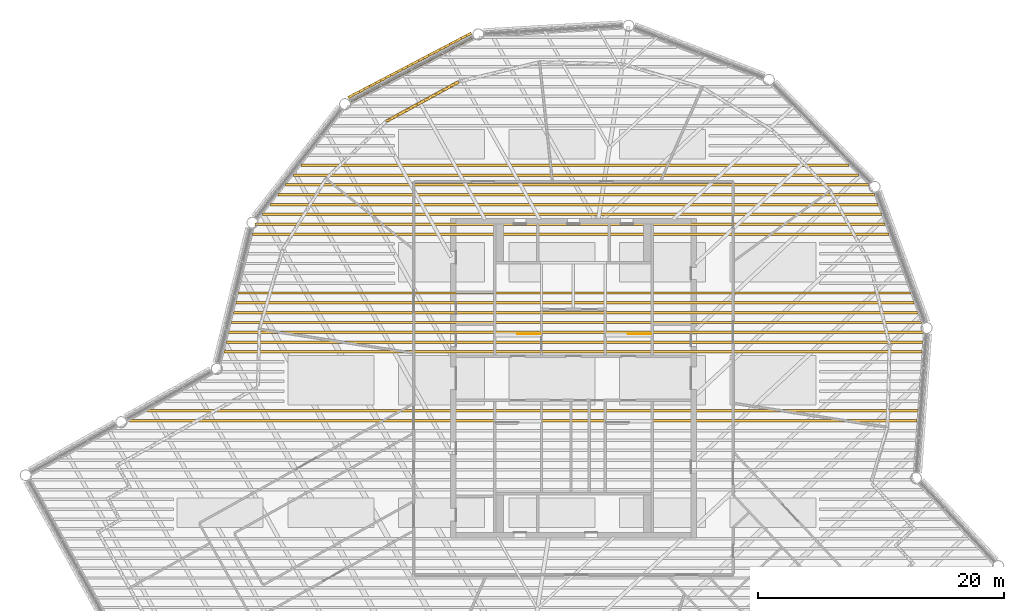
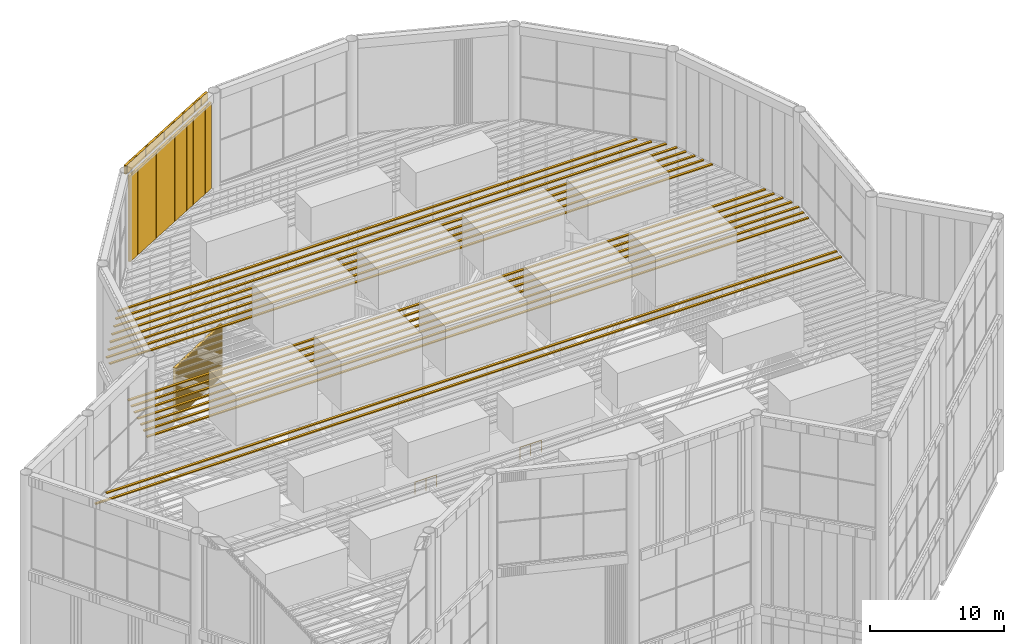
# One storey, part 104 of 117: 18 shading devices, 2 coverings, 2 railings.
"""IFC4 building model written with IfcOpenShell, lengths in metres."""

from ifc_helpers import new_model, si_unit, direction, frame, frame_2d, origin, origin_2d, place, context, subcontext, project, spatial, rectangle, circle, composite_profile, extrude, material, type_object, element, save


model = new_model("IFC4")

# Units and contexts
model_context = context("Model", 3, precision=1e-05, world=origin(), true_north=direction((0.0, 1.0)))
body_context = subcontext(model_context, "Body", "Model", "MODEL_VIEW")
ifc_project = project(units=[si_unit("LENGTHUNIT", "METRE"), si_unit("AREAUNIT", "SQUARE_METRE"), si_unit("VOLUMEUNIT", "CUBIC_METRE"), si_unit("PLANEANGLEUNIT", "RADIAN"), si_unit("MASSUNIT", "GRAM", prefix="KILO")], contexts=[model_context])

# Site, building, storey
site_placement = place(None, origin())
site = spatial("IfcSite", under=ifc_project, at=site_placement, CompositionType="ELEMENT")
building_placement = place(site_placement, origin())
building = spatial("IfcBuilding", under=site, at=building_placement, Name="Tarsis Ring Headquarters", CompositionType="ELEMENT")
storey_placement = place(building_placement, frame((0.0, 0.0, 403.60009765625)))
storey = spatial("IfcBuildingStorey", under=building, at=storey_placement, Name="L95", CompositionType="ELEMENT", Elevation=403.60009765625)

# Railings
ifc_material_1 = material(Name="Steel S355", Category="steel")
railing_type = type_object("IfcRailingType", Name="Core stair guard 1100", PredefinedType="GUARDRAIL", material=ifc_material_1)
for number, where, name in (
    (1, (-2.699951171875, 3.610107421875, 0.0), "L95 ST1 top well guard 1"),
    (2, (6.300048828125, 3.610107421875, 0.0), "L95 ST2 top well guard 1"),
):
    element("IfcRailing", number, at=place(storey_placement, frame(where)), inside=storey, type_object=railing_type, Name=name, PredefinedType="GUARDRAIL", context=body_context, shape_type="SweptSolid", body=[
        extrude(circle(Radius=0.02392578125, at=origin_2d()), frame((0.0, 0.0, 1.076171875), z_axis=(-1.0, 0.0, 0.0), x_axis=(0.0, -1.0, 0.0)), (0.0, 0.0, 1.0), 1.840087890625),
        extrude(circle(Radius=0.02099609375, at=origin_2d()), origin(), (0.0, 0.0, 1.0), 1.052001953125),
        extrude(circle(Radius=0.02099609375, at=origin_2d()), frame((-0.919921875, 0.0, 0.0)), (0.0, 0.0, 1.0), 1.052001953125),
        extrude(circle(Radius=0.02099609375, at=origin_2d()), frame((-1.840087890625, 0.0, 0.0)), (0.0, 0.0, 1.0), 1.052001953125),
    ])

# Coverings
ifc_material_2 = material(Name="Terracotta louvre", Category="masonry")
covering_type = type_object("IfcCoveringType", Name="Crown louvre fin", PredefinedType="CLADDING", material=ifc_material_2)
covering_1_placement = place(storey_placement, frame((-8.311767578125, 28.09521484375, 22.199951171875), z_axis=(0.0, 0.0, 1.0), x_axis=(-0.885930903765, -0.463814939261, 0.0)))
element("IfcCovering", 3, at=covering_1_placement, inside=storey, type_object=covering_type, Name="Crown louvre fascia T11", PredefinedType="CLADDING", context=body_context, shape_type="SweptSolid", body=[
    extrude(composite_profile([rectangle(XDim=0.14501953125, YDim=0.199951171875, at=frame_2d((0.072509765625, 0.0))), rectangle(XDim=0.14501953125, YDim=0.199951171875, at=frame_2d((0.2236328125, 0.0))), rectangle(XDim=0.14501953125, YDim=0.199951171875, at=frame_2d((0.375, 0.0))), rectangle(XDim=0.14501953125, YDim=0.199951171875, at=frame_2d((0.526123046875, 0.0))), rectangle(XDim=0.14501953125, YDim=0.199951171875, at=frame_2d((0.677490234375, 0.0))), rectangle(XDim=0.14501953125, YDim=0.199951171875, at=frame_2d((0.82861328125, 0.0))), rectangle(XDim=0.14501953125, YDim=0.199951171875, at=frame_2d((0.979736328125, 0.0))), rectangle(XDim=0.14501953125, YDim=0.199951171875, at=frame_2d((1.131103515625, 0.0))), rectangle(XDim=0.14501953125, YDim=0.199951171875, at=frame_2d((1.2822265625, 0.0))), rectangle(XDim=0.14501953125, YDim=0.199951171875, at=frame_2d((1.433349609375, 0.0))), rectangle(XDim=0.14501953125, YDim=0.199951171875, at=frame_2d((1.584716796875, 0.0))), rectangle(XDim=0.14501953125, YDim=0.199951171875, at=frame_2d((1.73583984375, 0.0))), rectangle(XDim=0.14501953125, YDim=0.199951171875, at=frame_2d((1.88720703125, 0.0))), rectangle(XDim=0.14501953125, YDim=0.199951171875, at=frame_2d((2.038330078125, 0.0))), rectangle(XDim=0.14501953125, YDim=0.199951171875, at=frame_2d((2.189453125, 0.0))), rectangle(XDim=0.14501953125, YDim=0.199951171875, at=frame_2d((2.3408203125, 0.0))), rectangle(XDim=0.14501953125, YDim=0.199951171875, at=frame_2d((2.491943359375, 0.0))), rectangle(XDim=0.14501953125, YDim=0.199951171875, at=frame_2d((2.64306640625, 0.0))), rectangle(XDim=0.14501953125, YDim=0.199951171875, at=frame_2d((2.79443359375, 0.0))), rectangle(XDim=0.14501953125, YDim=0.199951171875, at=frame_2d((2.945556640625, 0.0))), rectangle(XDim=0.14501953125, YDim=0.199951171875, at=frame_2d((3.096923828125, 0.0))), rectangle(XDim=0.14501953125, YDim=0.199951171875, at=frame_2d((3.248046875, 0.0))), rectangle(XDim=0.14501953125, YDim=0.199951171875, at=frame_2d((3.399169921875, 0.0))), rectangle(XDim=0.14501953125, YDim=0.199951171875, at=frame_2d((3.550537109375, 0.0))), rectangle(XDim=0.14501953125, YDim=0.199951171875, at=frame_2d((3.70166015625, 0.0))), rectangle(XDim=0.14501953125, YDim=0.199951171875, at=frame_2d((3.852783203125, 0.0))), rectangle(XDim=0.14501953125, YDim=0.199951171875, at=frame_2d((4.004150390625, 0.0))), rectangle(XDim=0.14501953125, YDim=0.199951171875, at=frame_2d((4.1552734375, 0.0))), rectangle(XDim=0.14501953125, YDim=0.199951171875, at=frame_2d((4.306640625, 0.0))), rectangle(XDim=0.14501953125, YDim=0.199951171875, at=frame_2d((4.457763671875, 0.0))), rectangle(XDim=0.14501953125, YDim=0.199951171875, at=frame_2d((4.60888671875, 0.0))), rectangle(XDim=0.14501953125, YDim=0.199951171875, at=frame_2d((4.76025390625, 0.0))), rectangle(XDim=0.14501953125, YDim=0.199951171875, at=frame_2d((4.911376953125, 0.0))), rectangle(XDim=0.14501953125, YDim=0.199951171875, at=frame_2d((5.0625, 0.0))), rectangle(XDim=0.14501953125, YDim=0.199951171875, at=frame_2d((5.2138671875, 0.0))), rectangle(XDim=0.14501953125, YDim=0.199951171875, at=frame_2d((5.364990234375, 0.0))), rectangle(XDim=0.14501953125, YDim=0.199951171875, at=frame_2d((5.516357421875, 0.0))), rectangle(XDim=0.14501953125, YDim=0.199951171875, at=frame_2d((5.66748046875, 0.0))), rectangle(XDim=0.14501953125, YDim=0.199951171875, at=frame_2d((5.818603515625, 0.0))), rectangle(XDim=0.14501953125, YDim=0.199951171875, at=frame_2d((5.969970703125, 0.0))), rectangle(XDim=0.14501953125, YDim=0.199951171875, at=frame_2d((6.12109375, 0.0))), rectangle(XDim=0.14501953125, YDim=0.199951171875, at=frame_2d((6.2724609375, 0.0))), rectangle(XDim=0.14501953125, YDim=0.199951171875, at=frame_2d((6.423583984375, 0.0))), rectangle(XDim=0.14501953125, YDim=0.199951171875, at=frame_2d((6.57470703125, 0.0))), rectangle(XDim=0.14501953125, YDim=0.199951171875, at=frame_2d((6.72607421875, 0.0))), rectangle(XDim=0.14501953125, YDim=0.199951171875, at=frame_2d((6.877197265625, 0.0))), rectangle(XDim=0.14501953125, YDim=0.199951171875, at=frame_2d((7.0283203125, 0.0))), rectangle(XDim=0.14501953125, YDim=0.199951171875, at=frame_2d((7.1796875, 0.0))), rectangle(XDim=0.14501953125, YDim=0.199951171875, at=frame_2d((7.330810546875, 0.0))), rectangle(XDim=0.14501953125, YDim=0.199951171875, at=frame_2d((7.482177734375, 0.0))), rectangle(XDim=0.14501953125, YDim=0.199951171875, at=frame_2d((7.63330078125, 0.0))), rectangle(XDim=0.14501953125, YDim=0.199951171875, at=frame_2d((7.784423828125, 0.0))), rectangle(XDim=0.14501953125, YDim=0.199951171875, at=frame_2d((7.935791015625, 0.0))), rectangle(XDim=0.14501953125, YDim=0.199951171875, at=frame_2d((8.0869140625, 0.0))), rectangle(XDim=0.14501953125, YDim=0.199951171875, at=frame_2d((8.238037109375, 0.0))), rectangle(XDim=0.14501953125, YDim=0.199951171875, at=frame_2d((8.389404296875, 0.0))), rectangle(XDim=0.14501953125, YDim=0.199951171875, at=frame_2d((8.54052734375, 0.0))), rectangle(XDim=0.14501953125, YDim=0.199951171875, at=frame_2d((8.69189453125, 0.0))), rectangle(XDim=0.14501953125, YDim=0.199951171875, at=frame_2d((8.843017578125, 0.0))), rectangle(XDim=0.14501953125, YDim=0.199951171875, at=frame_2d((8.994140625, 0.0))), rectangle(XDim=0.14501953125, YDim=0.199951171875, at=frame_2d((9.1455078125, 0.0))), rectangle(XDim=0.14501953125, YDim=0.199951171875, at=frame_2d((9.296630859375, 0.0))), rectangle(XDim=0.14501953125, YDim=0.199951171875, at=frame_2d((9.44775390625, 0.0))), rectangle(XDim=0.14501953125, YDim=0.199951171875, at=frame_2d((9.59912109375, 0.0))), rectangle(XDim=0.14501953125, YDim=0.199951171875, at=frame_2d((9.750244140625, 0.0))), rectangle(XDim=0.14501953125, YDim=0.199951171875, at=frame_2d((9.901611328125, 0.0))), rectangle(XDim=0.14501953125, YDim=0.199951171875, at=frame_2d((10.052734375, 0.0))), rectangle(XDim=0.14501953125, YDim=0.199951171875, at=frame_2d((10.203857421875, 0.0))), rectangle(XDim=0.14501953125, YDim=0.199951171875, at=frame_2d((10.355224609375, 0.0))), rectangle(XDim=0.14501953125, YDim=0.199951171875, at=frame_2d((10.50634765625, 0.0))), rectangle(XDim=0.14501953125, YDim=0.199951171875, at=frame_2d((10.657470703125, 0.0))), rectangle(XDim=0.14501953125, YDim=0.199951171875, at=frame_2d((10.808837890625, 0.0))), rectangle(XDim=0.14501953125, YDim=0.199951171875, at=frame_2d((10.9599609375, 0.0))), rectangle(XDim=0.14501953125, YDim=0.199951171875, at=frame_2d((11.111328125, 0.0))), rectangle(XDim=0.14501953125, YDim=0.199951171875, at=frame_2d((11.262451171875, 0.0)))]), origin(), (0.0, 0.0, 1.0), 0.800048828125),
])
covering_2_placement = place(storey_placement, frame((-8.1494140625, 27.78515625, 14.39990234375), z_axis=(0.0, 0.0, 1.0), x_axis=(-0.885930903765, -0.463814939261, 0.0)))
element("IfcCovering", 4, at=covering_2_placement, inside=storey, type_object=covering_type, Name="Crown louvre U11", PredefinedType="CLADDING", context=body_context, shape_type="SweptSolid", body=[
    extrude(composite_profile([rectangle(XDim=0.14501953125, YDim=0.199951171875, at=frame_2d((0.072509765625, 0.0))), rectangle(XDim=0.14501953125, YDim=0.199951171875, at=frame_2d((0.2236328125, 0.0))), rectangle(XDim=0.14501953125, YDim=0.199951171875, at=frame_2d((0.375, 0.0))), rectangle(XDim=0.14501953125, YDim=0.199951171875, at=frame_2d((0.526123046875, 0.0))), rectangle(XDim=0.14501953125, YDim=0.199951171875, at=frame_2d((0.677490234375, 0.0))), rectangle(XDim=0.14501953125, YDim=0.199951171875, at=frame_2d((0.82861328125, 0.0))), rectangle(XDim=0.14501953125, YDim=0.199951171875, at=frame_2d((0.979736328125, 0.0))), rectangle(XDim=0.14501953125, YDim=0.199951171875, at=frame_2d((1.131103515625, 0.0))), rectangle(XDim=0.14501953125, YDim=0.199951171875, at=frame_2d((1.2822265625, 0.0))), rectangle(XDim=0.14501953125, YDim=0.199951171875, at=frame_2d((1.433349609375, 0.0))), rectangle(XDim=0.14501953125, YDim=0.199951171875, at=frame_2d((1.584716796875, 0.0))), rectangle(XDim=0.14501953125, YDim=0.199951171875, at=frame_2d((1.73583984375, 0.0))), rectangle(XDim=0.14501953125, YDim=0.199951171875, at=frame_2d((1.88720703125, 0.0))), rectangle(XDim=0.14501953125, YDim=0.199951171875, at=frame_2d((2.038330078125, 0.0))), rectangle(XDim=0.14501953125, YDim=0.199951171875, at=frame_2d((2.189453125, 0.0))), rectangle(XDim=0.14501953125, YDim=0.199951171875, at=frame_2d((2.3408203125, 0.0))), rectangle(XDim=0.14501953125, YDim=0.199951171875, at=frame_2d((2.491943359375, 0.0))), rectangle(XDim=0.14501953125, YDim=0.199951171875, at=frame_2d((2.64306640625, 0.0))), rectangle(XDim=0.14501953125, YDim=0.199951171875, at=frame_2d((2.79443359375, 0.0))), rectangle(XDim=0.14501953125, YDim=0.199951171875, at=frame_2d((2.945556640625, 0.0))), rectangle(XDim=0.14501953125, YDim=0.199951171875, at=frame_2d((3.096923828125, 0.0))), rectangle(XDim=0.14501953125, YDim=0.199951171875, at=frame_2d((3.248046875, 0.0))), rectangle(XDim=0.14501953125, YDim=0.199951171875, at=frame_2d((3.399169921875, 0.0))), rectangle(XDim=0.14501953125, YDim=0.199951171875, at=frame_2d((3.550537109375, 0.0))), rectangle(XDim=0.14501953125, YDim=0.199951171875, at=frame_2d((3.70166015625, 0.0))), rectangle(XDim=0.14501953125, YDim=0.199951171875, at=frame_2d((3.852783203125, 0.0))), rectangle(XDim=0.14501953125, YDim=0.199951171875, at=frame_2d((4.004150390625, 0.0))), rectangle(XDim=0.14501953125, YDim=0.199951171875, at=frame_2d((4.1552734375, 0.0))), rectangle(XDim=0.14501953125, YDim=0.199951171875, at=frame_2d((4.306640625, 0.0))), rectangle(XDim=0.14501953125, YDim=0.199951171875, at=frame_2d((4.457763671875, 0.0))), rectangle(XDim=0.14501953125, YDim=0.199951171875, at=frame_2d((4.60888671875, 0.0))), rectangle(XDim=0.14501953125, YDim=0.199951171875, at=frame_2d((4.76025390625, 0.0))), rectangle(XDim=0.14501953125, YDim=0.199951171875, at=frame_2d((4.911376953125, 0.0))), rectangle(XDim=0.14501953125, YDim=0.199951171875, at=frame_2d((5.0625, 0.0))), rectangle(XDim=0.14501953125, YDim=0.199951171875, at=frame_2d((5.2138671875, 0.0))), rectangle(XDim=0.14501953125, YDim=0.199951171875, at=frame_2d((5.364990234375, 0.0))), rectangle(XDim=0.14501953125, YDim=0.199951171875, at=frame_2d((5.516357421875, 0.0))), rectangle(XDim=0.14501953125, YDim=0.199951171875, at=frame_2d((5.66748046875, 0.0))), rectangle(XDim=0.14501953125, YDim=0.199951171875, at=frame_2d((5.818603515625, 0.0))), rectangle(XDim=0.14501953125, YDim=0.199951171875, at=frame_2d((5.969970703125, 0.0))), rectangle(XDim=0.14501953125, YDim=0.199951171875, at=frame_2d((6.12109375, 0.0))), rectangle(XDim=0.14501953125, YDim=0.199951171875, at=frame_2d((6.2724609375, 0.0))), rectangle(XDim=0.14501953125, YDim=0.199951171875, at=frame_2d((6.423583984375, 0.0))), rectangle(XDim=0.14501953125, YDim=0.199951171875, at=frame_2d((6.57470703125, 0.0))), rectangle(XDim=0.14501953125, YDim=0.199951171875, at=frame_2d((6.72607421875, 0.0))), rectangle(XDim=0.14501953125, YDim=0.199951171875, at=frame_2d((6.877197265625, 0.0))), rectangle(XDim=0.14501953125, YDim=0.199951171875, at=frame_2d((7.0283203125, 0.0))), rectangle(XDim=0.14501953125, YDim=0.199951171875, at=frame_2d((7.1796875, 0.0))), rectangle(XDim=0.14501953125, YDim=0.199951171875, at=frame_2d((7.330810546875, 0.0))), rectangle(XDim=0.14501953125, YDim=0.199951171875, at=frame_2d((7.482177734375, 0.0))), rectangle(XDim=0.14501953125, YDim=0.199951171875, at=frame_2d((7.63330078125, 0.0))), rectangle(XDim=0.14501953125, YDim=0.199951171875, at=frame_2d((7.784423828125, 0.0))), rectangle(XDim=0.14501953125, YDim=0.199951171875, at=frame_2d((7.935791015625, 0.0))), rectangle(XDim=0.14501953125, YDim=0.199951171875, at=frame_2d((8.0869140625, 0.0))), rectangle(XDim=0.14501953125, YDim=0.199951171875, at=frame_2d((8.238037109375, 0.0))), rectangle(XDim=0.14501953125, YDim=0.199951171875, at=frame_2d((8.389404296875, 0.0))), rectangle(XDim=0.14501953125, YDim=0.199951171875, at=frame_2d((8.54052734375, 0.0))), rectangle(XDim=0.14501953125, YDim=0.199951171875, at=frame_2d((8.69189453125, 0.0))), rectangle(XDim=0.14501953125, YDim=0.199951171875, at=frame_2d((8.843017578125, 0.0))), rectangle(XDim=0.14501953125, YDim=0.199951171875, at=frame_2d((8.994140625, 0.0))), rectangle(XDim=0.14501953125, YDim=0.199951171875, at=frame_2d((9.1455078125, 0.0))), rectangle(XDim=0.14501953125, YDim=0.199951171875, at=frame_2d((9.296630859375, 0.0))), rectangle(XDim=0.14501953125, YDim=0.199951171875, at=frame_2d((9.44775390625, 0.0))), rectangle(XDim=0.14501953125, YDim=0.199951171875, at=frame_2d((9.59912109375, 0.0))), rectangle(XDim=0.14501953125, YDim=0.199951171875, at=frame_2d((9.750244140625, 0.0))), rectangle(XDim=0.14501953125, YDim=0.199951171875, at=frame_2d((9.901611328125, 0.0))), rectangle(XDim=0.14501953125, YDim=0.199951171875, at=frame_2d((10.052734375, 0.0))), rectangle(XDim=0.14501953125, YDim=0.199951171875, at=frame_2d((10.203857421875, 0.0))), rectangle(XDim=0.14501953125, YDim=0.199951171875, at=frame_2d((10.355224609375, 0.0))), rectangle(XDim=0.14501953125, YDim=0.199951171875, at=frame_2d((10.50634765625, 0.0))), rectangle(XDim=0.14501953125, YDim=0.199951171875, at=frame_2d((10.657470703125, 0.0))), rectangle(XDim=0.14501953125, YDim=0.199951171875, at=frame_2d((10.808837890625, 0.0))), rectangle(XDim=0.14501953125, YDim=0.199951171875, at=frame_2d((10.9599609375, 0.0))), rectangle(XDim=0.14501953125, YDim=0.199951171875, at=frame_2d((11.111328125, 0.0))), rectangle(XDim=0.14501953125, YDim=0.199951171875, at=frame_2d((11.262451171875, 0.0)))]), origin(), (0.0, 0.0, 1.0), 7.800048828125),
])

# Shading devices
ifc_material_3 = material(Name="Aluminium louvre", Category="aluminium")
shading_device_type_1 = type_object("IfcShadingDeviceType", Name="Crown roof louvre blade", PredefinedType="USERDEFINED", material=ifc_material_3)
shading_device_1_placement = place(storey_placement, frame((-4.073974609375, -3.464111328125, 14.39990234375), z_axis=(0.0, 0.0, 1.0), x_axis=(1.0, 0.0, 0.0)))
element("IfcShadingDevice", 5, at=shading_device_1_placement, inside=storey, type_object=shading_device_type_1, Name="Crown roof louvre 62", ObjectType="Crown roof louvre", PredefinedType="USERDEFINED", context=body_context, shape_type="SweptSolid", body=[
    extrude(rectangle(XDim=64.087646484375, YDim=0.199951171875, at=origin_2d()), origin(), (0.0, 0.0, 1.0), 0.10009765625),
])
shading_device_2_placement = place(storey_placement, frame((-3.3271484375, -2.664306640625, 14.39990234375), z_axis=(0.0, 0.0, 1.0), x_axis=(1.0, 0.0, 0.0)))
element("IfcShadingDevice", 6, at=shading_device_2_placement, inside=storey, type_object=shading_device_type_1, Name="Crown roof louvre 63", ObjectType="Crown roof louvre", PredefinedType="USERDEFINED", context=body_context, shape_type="SweptSolid", body=[
    extrude(rectangle(XDim=62.708740234375, YDim=0.199951171875, at=origin_2d()), origin(), (0.0, 0.0, 1.0), 0.10009765625),
])
shading_device_3_placement = place(storey_placement, frame((-0.0390625, 2.1357421875, 14.39990234375), z_axis=(0.0, 0.0, 1.0), x_axis=(1.0, 0.0, 0.0)))
element("IfcShadingDevice", 7, at=shading_device_3_placement, inside=storey, type_object=shading_device_type_1, Name="Crown roof louvre 74", ObjectType="Crown roof louvre", PredefinedType="USERDEFINED", context=body_context, shape_type="SweptSolid", body=[
    extrude(rectangle(XDim=56.81689453125, YDim=0.199951171875, at=origin_2d()), origin(), (0.0, 0.0, 1.0), 0.10009765625),
])
shading_device_4_placement = place(storey_placement, frame((0.086669921875, 2.935791015625, 14.39990234375), z_axis=(0.0, 0.0, 1.0), x_axis=(1.0, 0.0, 0.0)))
element("IfcShadingDevice", 8, at=shading_device_4_placement, inside=storey, type_object=shading_device_type_1, Name="Crown roof louvre 75", ObjectType="Crown roof louvre", PredefinedType="USERDEFINED", context=body_context, shape_type="SweptSolid", body=[
    extrude(rectangle(XDim=56.67919921875, YDim=0.199951171875, at=origin_2d()), origin(), (0.0, 0.0, 1.0), 0.10009765625),
])
shading_device_5_placement = place(storey_placement, frame((0.212646484375, 3.73583984375, 14.39990234375), z_axis=(0.0, 0.0, 1.0), x_axis=(1.0, 0.0, 0.0)))
element("IfcShadingDevice", 9, at=shading_device_5_placement, inside=storey, type_object=shading_device_type_1, Name="Crown roof louvre 76", ObjectType="Crown roof louvre", PredefinedType="USERDEFINED", context=body_context, shape_type="SweptSolid", body=[
    extrude(rectangle(XDim=56.54150390625, YDim=0.199951171875, at=origin_2d()), origin(), (0.0, 0.0, 1.0), 0.10009765625),
])
shading_device_6_placement = place(storey_placement, frame((0.232177734375, 4.535888671875, 14.39990234375), z_axis=(0.0, 0.0, 1.0), x_axis=(1.0, 0.0, 0.0)))
element("IfcShadingDevice", 10, at=shading_device_6_placement, inside=storey, type_object=shading_device_type_1, Name="Crown roof louvre 77", ObjectType="Crown roof louvre", PredefinedType="USERDEFINED", context=body_context, shape_type="SweptSolid", body=[
    extrude(rectangle(XDim=56.191162109375, YDim=0.199951171875, at=origin_2d()), origin(), (0.0, 0.0, 1.0), 0.10009765625),
])
shading_device_7_placement = place(storey_placement, frame((0.181884765625, 5.335693359375, 14.39990234375), z_axis=(0.0, 0.0, 1.0), x_axis=(1.0, 0.0, 0.0)))
element("IfcShadingDevice", 11, at=shading_device_7_placement, inside=storey, type_object=shading_device_type_1, Name="Crown roof louvre 78", ObjectType="Crown roof louvre", PredefinedType="USERDEFINED", context=body_context, shape_type="SweptSolid", body=[
    extrude(rectangle(XDim=55.701171875, YDim=0.199951171875, at=origin_2d()), origin(), (0.0, 0.0, 1.0), 0.10009765625),
])
shading_device_8_placement = place(storey_placement, frame((0.131591796875, 6.1357421875, 14.39990234375), z_axis=(0.0, 0.0, 1.0), x_axis=(1.0, 0.0, 0.0)))
element("IfcShadingDevice", 12, at=shading_device_8_placement, inside=storey, type_object=shading_device_type_1, Name="Crown roof louvre 79", ObjectType="Crown roof louvre", PredefinedType="USERDEFINED", context=body_context, shape_type="SweptSolid", body=[
    extrude(rectangle(XDim=55.2109375, YDim=0.199951171875, at=origin_2d()), origin(), (0.0, 0.0, 1.0), 0.10009765625),
])
shading_device_9_placement = place(storey_placement, frame((0.081298828125, 6.935791015625, 14.39990234375), z_axis=(0.0, 0.0, 1.0), x_axis=(1.0, 0.0, 0.0)))
element("IfcShadingDevice", 13, at=shading_device_9_placement, inside=storey, type_object=shading_device_type_1, Name="Crown roof louvre 80", ObjectType="Crown roof louvre", PredefinedType="USERDEFINED", context=body_context, shape_type="SweptSolid", body=[
    extrude(rectangle(XDim=54.720947265625, YDim=0.199951171875, at=origin_2d()), origin(), (0.0, 0.0, 1.0), 0.10009765625),
])
shading_device_10_placement = place(storey_placement, frame((-0.220458984375, 11.73583984375, 14.39990234375), z_axis=(0.0, 0.0, 1.0), x_axis=(1.0, 0.0, 0.0)))
element("IfcShadingDevice", 14, at=shading_device_10_placement, inside=storey, type_object=shading_device_type_1, Name="Crown roof louvre 91", ObjectType="Crown roof louvre", PredefinedType="USERDEFINED", context=body_context, shape_type="SweptSolid", body=[
    extrude(rectangle(XDim=51.7802734375, YDim=0.199951171875, at=origin_2d()), origin(), (0.0, 0.0, 1.0), 0.10009765625),
])
shading_device_11_placement = place(storey_placement, frame((-0.270751953125, 12.535888671875, 14.39990234375), z_axis=(0.0, 0.0, 1.0), x_axis=(1.0, 0.0, 0.0)))
element("IfcShadingDevice", 15, at=shading_device_11_placement, inside=storey, type_object=shading_device_type_1, Name="Crown roof louvre 92", ObjectType="Crown roof louvre", PredefinedType="USERDEFINED", context=body_context, shape_type="SweptSolid", body=[
    extrude(rectangle(XDim=51.290283203125, YDim=0.199951171875, at=origin_2d()), origin(), (0.0, 0.0, 1.0), 0.10009765625),
])
shading_device_12_placement = place(storey_placement, frame((-0.11083984375, 13.335693359375, 14.39990234375), z_axis=(0.0, 0.0, 1.0), x_axis=(1.0, 0.0, 0.0)))
element("IfcShadingDevice", 16, at=shading_device_12_placement, inside=storey, type_object=shading_device_type_1, Name="Crown roof louvre 93", ObjectType="Crown roof louvre", PredefinedType="USERDEFINED", context=body_context, shape_type="SweptSolid", body=[
    extrude(rectangle(XDim=50.3798828125, YDim=0.199951171875, at=origin_2d()), origin(), (0.0, 0.0, 1.0), 0.10009765625),
])
shading_device_13_placement = place(storey_placement, frame((0.05419921875, 14.1357421875, 14.39990234375), z_axis=(0.0, 0.0, 1.0), x_axis=(1.0, 0.0, 0.0)))
element("IfcShadingDevice", 17, at=shading_device_13_placement, inside=storey, type_object=shading_device_type_1, Name="Crown roof louvre 94", ObjectType="Crown roof louvre", PredefinedType="USERDEFINED", context=body_context, shape_type="SweptSolid", body=[
    extrude(rectangle(XDim=49.458984375, YDim=0.199951171875, at=origin_2d()), origin(), (0.0, 0.0, 1.0), 0.10009765625),
])
shading_device_14_placement = place(storey_placement, frame((0.21923828125, 14.935791015625, 14.39990234375), z_axis=(0.0, 0.0, 1.0), x_axis=(1.0, 0.0, 0.0)))
element("IfcShadingDevice", 18, at=shading_device_14_placement, inside=storey, type_object=shading_device_type_1, Name="Crown roof louvre 95", ObjectType="Crown roof louvre", PredefinedType="USERDEFINED", context=body_context, shape_type="SweptSolid", body=[
    extrude(rectangle(XDim=48.5380859375, YDim=0.199951171875, at=origin_2d()), origin(), (0.0, 0.0, 1.0), 0.10009765625),
])
shading_device_15_placement = place(storey_placement, frame((0.2939453125, 15.73583984375, 14.39990234375), z_axis=(0.0, 0.0, 1.0), x_axis=(1.0, 0.0, 0.0)))
element("IfcShadingDevice", 19, at=shading_device_15_placement, inside=storey, type_object=shading_device_type_1, Name="Crown roof louvre 96", ObjectType="Crown roof louvre", PredefinedType="USERDEFINED", context=body_context, shape_type="SweptSolid", body=[
    extrude(rectangle(XDim=47.436279296875, YDim=0.199951171875, at=origin_2d()), origin(), (0.0, 0.0, 1.0), 0.10009765625),
])
shading_device_16_placement = place(storey_placement, frame((0.212158203125, 16.535888671875, 14.39990234375), z_axis=(0.0, 0.0, 1.0), x_axis=(1.0, 0.0, 0.0)))
element("IfcShadingDevice", 20, at=shading_device_16_placement, inside=storey, type_object=shading_device_type_1, Name="Crown roof louvre 97", ObjectType="Crown roof louvre", PredefinedType="USERDEFINED", context=body_context, shape_type="SweptSolid", body=[
    extrude(rectangle(XDim=46.021484375, YDim=0.199951171875, at=origin_2d()), origin(), (0.0, 0.0, 1.0), 0.10009765625),
])
shading_device_17_placement = place(storey_placement, frame((0.13037109375, 17.335693359375, 14.39990234375), z_axis=(0.0, 0.0, 1.0), x_axis=(1.0, 0.0, 0.0)))
element("IfcShadingDevice", 21, at=shading_device_17_placement, inside=storey, type_object=shading_device_type_1, Name="Crown roof louvre 98", ObjectType="Crown roof louvre", PredefinedType="USERDEFINED", context=body_context, shape_type="SweptSolid", body=[
    extrude(rectangle(XDim=44.60693359375, YDim=0.199951171875, at=origin_2d()), origin(), (0.0, 0.0, 1.0), 0.10009765625),
])
shading_device_type_2 = type_object("IfcShadingDeviceType", Name="Plant louvre fin", PredefinedType="USERDEFINED", material=ifc_material_3)
shading_device_18_placement = place(storey_placement, frame((-9.33740234375, 24.1279296875, 0.0), z_axis=(0.0, 0.0, 1.0), x_axis=(-0.877814906291, -0.478969925904, 0.0)))
element("IfcShadingDevice", 22, at=shading_device_18_placement, inside=storey, type_object=shading_device_type_2, Name="Louvre L95-26", ObjectType="Louvre", PredefinedType="USERDEFINED", context=body_context, shape_type="SweptSolid", body=[
    extrude(composite_profile([rectangle(XDim=0.1201171875, YDim=0.239990234375, at=frame_2d((0.076171875, 0.0), x_axis=(0.990268068742, 0.13917310096))), rectangle(XDim=0.1201171875, YDim=0.239990234375, at=frame_2d((0.202392578125, 0.0), x_axis=(0.990268068742, 0.13917310096))), rectangle(XDim=0.1201171875, YDim=0.239990234375, at=frame_2d((0.328857421875, 0.0), x_axis=(0.990268068742, 0.13917310096))), rectangle(XDim=0.1201171875, YDim=0.239990234375, at=frame_2d((0.455078125, 0.0), x_axis=(0.990268068742, 0.13917310096))), rectangle(XDim=0.1201171875, YDim=0.239990234375, at=frame_2d((0.58154296875, 0.0), x_axis=(0.990268068742, 0.13917310096))), rectangle(XDim=0.1201171875, YDim=0.239990234375, at=frame_2d((0.707763671875, 0.0), x_axis=(0.990268068742, 0.13917310096))), rectangle(XDim=0.1201171875, YDim=0.239990234375, at=frame_2d((0.834228515625, 0.0), x_axis=(0.990268068742, 0.13917310096))), rectangle(XDim=0.1201171875, YDim=0.239990234375, at=frame_2d((0.96044921875, 0.0), x_axis=(0.990268068742, 0.13917310096))), rectangle(XDim=0.1201171875, YDim=0.239990234375, at=frame_2d((1.0869140625, 0.0), x_axis=(0.990268068742, 0.13917310096))), rectangle(XDim=0.1201171875, YDim=0.239990234375, at=frame_2d((1.213134765625, 0.0), x_axis=(0.990268068742, 0.13917310096))), rectangle(XDim=0.1201171875, YDim=0.239990234375, at=frame_2d((1.339599609375, 0.0), x_axis=(0.990268068742, 0.13917310096))), rectangle(XDim=0.1201171875, YDim=0.239990234375, at=frame_2d((1.4658203125, 0.0), x_axis=(0.990268068742, 0.13917310096))), rectangle(XDim=0.1201171875, YDim=0.239990234375, at=frame_2d((1.59228515625, 0.0), x_axis=(0.990268068742, 0.13917310096))), rectangle(XDim=0.1201171875, YDim=0.239990234375, at=frame_2d((1.718505859375, 0.0), x_axis=(0.990268068742, 0.13917310096))), rectangle(XDim=0.1201171875, YDim=0.239990234375, at=frame_2d((1.8447265625, 0.0), x_axis=(0.990268068742, 0.13917310096))), rectangle(XDim=0.1201171875, YDim=0.239990234375, at=frame_2d((1.97119140625, 0.0), x_axis=(0.990268068742, 0.13917310096))), rectangle(XDim=0.1201171875, YDim=0.239990234375, at=frame_2d((2.097412109375, 0.0), x_axis=(0.990268068742, 0.13917310096))), rectangle(XDim=0.1201171875, YDim=0.239990234375, at=frame_2d((2.223876953125, 0.0), x_axis=(0.990268068742, 0.13917310096))), rectangle(XDim=0.1201171875, YDim=0.239990234375, at=frame_2d((2.35009765625, 0.0), x_axis=(0.990268068742, 0.13917310096))), rectangle(XDim=0.1201171875, YDim=0.239990234375, at=frame_2d((2.4765625, 0.0), x_axis=(0.990268068742, 0.13917310096))), rectangle(XDim=0.1201171875, YDim=0.239990234375, at=frame_2d((2.602783203125, 0.0), x_axis=(0.990268068742, 0.13917310096))), rectangle(XDim=0.1201171875, YDim=0.239990234375, at=frame_2d((2.729248046875, 0.0), x_axis=(0.990268068742, 0.13917310096))), rectangle(XDim=0.1201171875, YDim=0.239990234375, at=frame_2d((2.85546875, 0.0), x_axis=(0.990268068742, 0.13917310096))), rectangle(XDim=0.1201171875, YDim=0.239990234375, at=frame_2d((2.98193359375, 0.0), x_axis=(0.990268068742, 0.13917310096))), rectangle(XDim=0.1201171875, YDim=0.239990234375, at=frame_2d((3.108154296875, 0.0), x_axis=(0.990268068742, 0.13917310096))), rectangle(XDim=0.1201171875, YDim=0.239990234375, at=frame_2d((3.234619140625, 0.0), x_axis=(0.990268068742, 0.13917310096))), rectangle(XDim=0.1201171875, YDim=0.239990234375, at=frame_2d((3.36083984375, 0.0), x_axis=(0.990268068742, 0.13917310096))), rectangle(XDim=0.1201171875, YDim=0.239990234375, at=frame_2d((3.487060546875, 0.0), x_axis=(0.990268068742, 0.13917310096))), rectangle(XDim=0.1201171875, YDim=0.239990234375, at=frame_2d((3.613525390625, 0.0), x_axis=(0.990268068742, 0.13917310096))), rectangle(XDim=0.1201171875, YDim=0.239990234375, at=frame_2d((3.73974609375, 0.0), x_axis=(0.990268068742, 0.13917310096))), rectangle(XDim=0.1201171875, YDim=0.239990234375, at=frame_2d((3.8662109375, 0.0), x_axis=(0.990268068742, 0.13917310096))), rectangle(XDim=0.1201171875, YDim=0.239990234375, at=frame_2d((3.992431640625, 0.0), x_axis=(0.990268068742, 0.13917310096))), rectangle(XDim=0.1201171875, YDim=0.239990234375, at=frame_2d((4.118896484375, 0.0), x_axis=(0.990268068742, 0.13917310096))), rectangle(XDim=0.1201171875, YDim=0.239990234375, at=frame_2d((4.2451171875, 0.0), x_axis=(0.990268068742, 0.13917310096))), rectangle(XDim=0.1201171875, YDim=0.239990234375, at=frame_2d((4.37158203125, 0.0), x_axis=(0.990268068742, 0.13917310096))), rectangle(XDim=0.1201171875, YDim=0.239990234375, at=frame_2d((4.497802734375, 0.0), x_axis=(0.990268068742, 0.13917310096))), rectangle(XDim=0.1201171875, YDim=0.239990234375, at=frame_2d((4.624267578125, 0.0), x_axis=(0.990268068742, 0.13917310096))), rectangle(XDim=0.1201171875, YDim=0.239990234375, at=frame_2d((4.75048828125, 0.0), x_axis=(0.990268068742, 0.13917310096))), rectangle(XDim=0.1201171875, YDim=0.239990234375, at=frame_2d((4.876953125, 0.0), x_axis=(0.990268068742, 0.13917310096))), rectangle(XDim=0.1201171875, YDim=0.239990234375, at=frame_2d((5.003173828125, 0.0), x_axis=(0.990268068742, 0.13917310096))), rectangle(XDim=0.1201171875, YDim=0.239990234375, at=frame_2d((5.12939453125, 0.0), x_axis=(0.990268068742, 0.13917310096))), rectangle(XDim=0.1201171875, YDim=0.239990234375, at=frame_2d((5.255859375, 0.0), x_axis=(0.990268068742, 0.13917310096))), rectangle(XDim=0.1201171875, YDim=0.239990234375, at=frame_2d((5.382080078125, 0.0), x_axis=(0.990268068742, 0.13917310096))), rectangle(XDim=0.1201171875, YDim=0.239990234375, at=frame_2d((5.508544921875, 0.0), x_axis=(0.990268068742, 0.13917310096))), rectangle(XDim=0.1201171875, YDim=0.239990234375, at=frame_2d((5.634765625, 0.0), x_axis=(0.990268068742, 0.13917310096))), rectangle(XDim=0.1201171875, YDim=0.239990234375, at=frame_2d((5.76123046875, 0.0), x_axis=(0.990268068742, 0.13917310096))), rectangle(XDim=0.1201171875, YDim=0.239990234375, at=frame_2d((5.887451171875, 0.0), x_axis=(0.990268068742, 0.13917310096))), rectangle(XDim=0.1201171875, YDim=0.239990234375, at=frame_2d((6.013916015625, 0.0), x_axis=(0.990268068742, 0.13917310096))), rectangle(XDim=0.1201171875, YDim=0.239990234375, at=frame_2d((6.14013671875, 0.0), x_axis=(0.990268068742, 0.13917310096))), rectangle(XDim=0.1201171875, YDim=0.239990234375, at=frame_2d((6.2666015625, 0.0), x_axis=(0.990268068742, 0.13917310096))), rectangle(XDim=0.1201171875, YDim=0.239990234375, at=frame_2d((6.392822265625, 0.0), x_axis=(0.990268068742, 0.13917310096))), rectangle(XDim=0.1201171875, YDim=0.239990234375, at=frame_2d((6.519287109375, 0.0), x_axis=(0.990268068742, 0.13917310096))), rectangle(XDim=0.1201171875, YDim=0.239990234375, at=frame_2d((6.6455078125, 0.0), x_axis=(0.990268068742, 0.13917310096)))]), origin(), (0.0, 0.0, 1.0), 4.699951171875),
])

save(model, "model.ifc")
